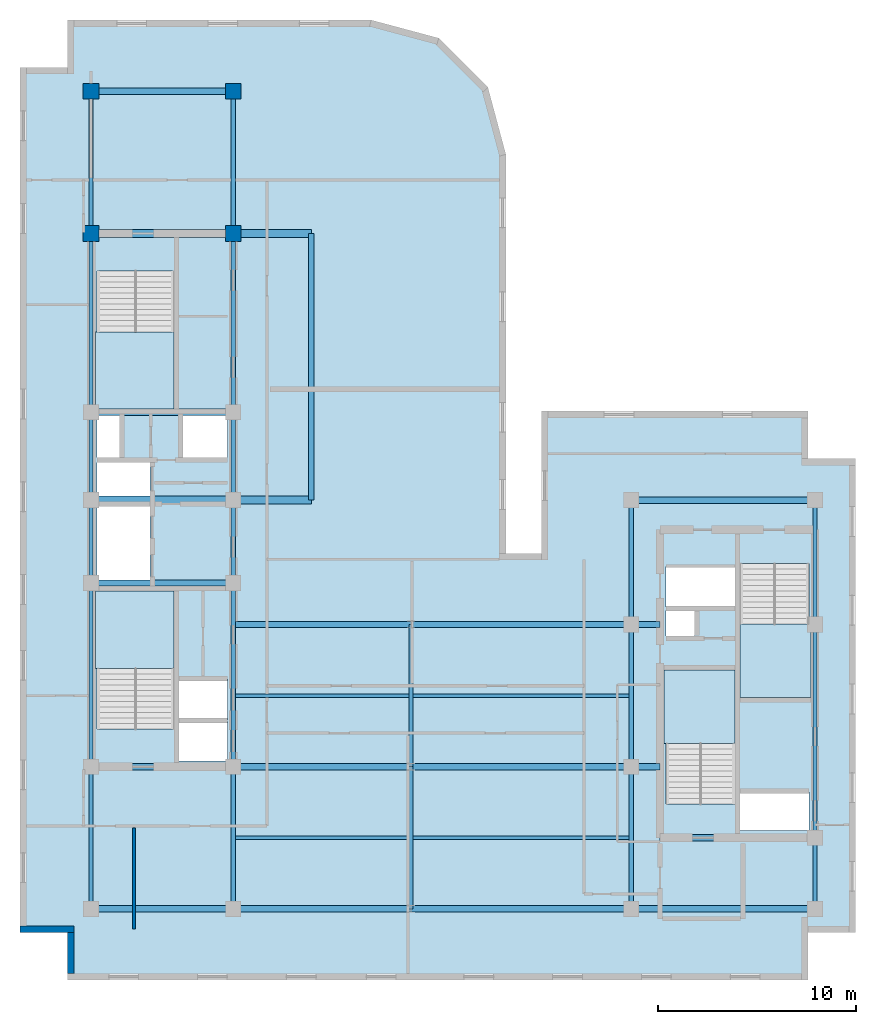
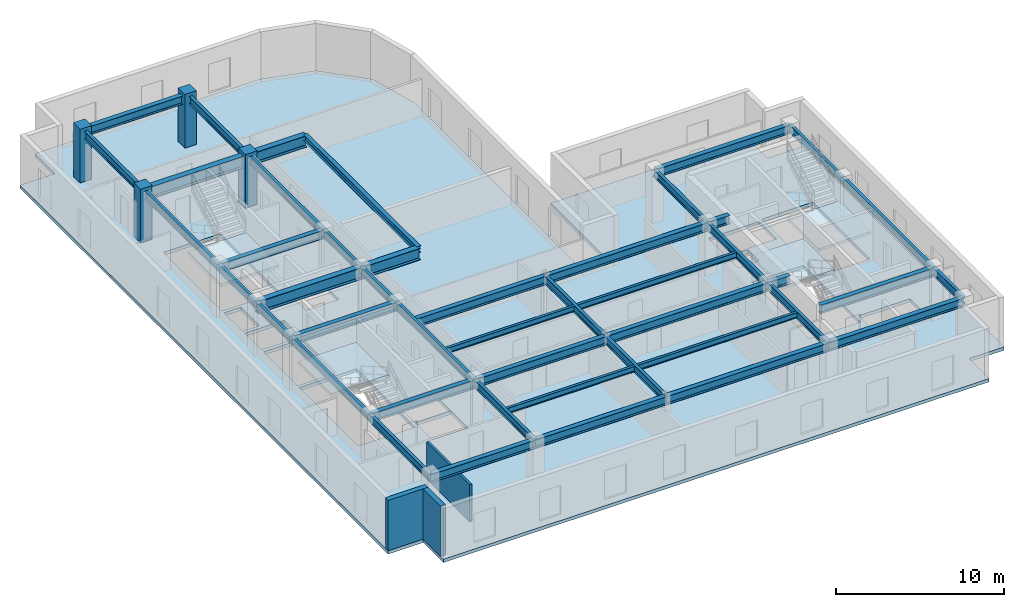
# One storey, part 2 of 9: 43 beams, 5 slabs, 4 columns, 3 walls, 4 elements without a shape of their own.
"""IFC4 building model written with IfcOpenShell, lengths in metres."""

from ifc_helpers import new_model, entity, si_unit, converted_unit, direction, frame, origin_with_axes, origin_2d_with_axis, place, context, subcontext, project, spatial, polyline, rectangle, i_section, outline, extrude, material, layer, layer_set, material_profile, profile_set, type_object, element, aggregate, save


model = new_model("IFC4")

# Units and contexts
model_context = context("Model", 3, precision=1e-05, world=origin_with_axes(), true_north=direction((0.0, 1.0)))
body_context = subcontext(model_context, "Body", "Model", "MODEL_VIEW")
ifc_project = project(units=[si_unit("LENGTHUNIT", "METRE"), si_unit("AREAUNIT", "SQUARE_METRE"), si_unit("VOLUMEUNIT", "CUBIC_METRE"), converted_unit("PLANEANGLEUNIT", "DEGREE", entity("IfcPlaneAngleMeasure", 0.017453292519943295), si_unit("PLANEANGLEUNIT", "RADIAN"), dimensions=[0, 0, 0, 0, 0, 0, 0]), si_unit("MASSUNIT", "GRAM", prefix="KILO"), si_unit("THERMODYNAMICTEMPERATUREUNIT", "KELVIN")], contexts=[model_context])

# Site, building, storey
site_placement = place(None, origin_with_axes())
site = spatial("IfcSite", under=ifc_project, at=site_placement, CompositionType="ELEMENT")
building_placement = place(site_placement, origin_with_axes())
building = spatial("IfcBuilding", under=site, at=building_placement, Name="Varnlund Millrace Tower", CompositionType="ELEMENT")
storey_placement = place(building_placement, frame((0.0, 0.0, 252.9), z_axis=(0.0, 0.0, 1.0), x_axis=(1.0, 0.0, 0.0)))
storey = spatial("IfcBuildingStorey", under=building, at=storey_placement, Name="L62", CompositionType="ELEMENT", Elevation=252.9)

# Columns
ifc_material_1 = material(Name="Concrete C60/75", Category="concrete")
ifc_material_profile_1 = material_profile(ifc_material_1, rectangle(XDim=0.8, YDim=0.8, at=origin_2d_with_axis()), Name="Concrete C60/75")
ifc_profile_set_1 = profile_set([ifc_material_profile_1], Name="Concrete C60/75")
column_type = type_object("IfcColumnType", Name="Type-Col-RC800-C60", PredefinedType="COLUMN", material=ifc_profile_set_1)
for number, where, z_axis, x_axis, name in (
    (1, (11.4, 37.8, 0.0), (0.0, 0.0, 1.0), (1.0, 0.0, 0.0), "Type-Col-RC800-C60"),
    (2, (11.4, 45.0, 0.0), (0.0, 0.0, 1.0), (1.0, 0.0, 0.0), "Type-Col-RC800-C60"),
    (3, (18.6, 37.8, 0.0), (0.0, 0.0, 1.0), (1.0, 0.0, 0.0), "Type-Col-RC800-C60"),
    (4, (18.6, 45.0, 0.0), (0.0, 0.0, 1.0), (1.0, 0.0, 0.0), "Type-Col-RC800-C60"),
):
    element("IfcColumn", number, at=place(storey_placement, frame(where, z_axis=z_axis, x_axis=x_axis)), inside=storey, type_object=column_type, Name=name, PredefinedType="COLUMN", context=body_context, shape_type="SweptSolid", body=[
        extrude(rectangle(XDim=0.8, YDim=0.8, at=origin_2d_with_axis()), origin_with_axes(), (0.0, 0.0, 1.0), 3.9),
    ])

# Beams
ifc_material_2 = material(Name="Steel ASTM A992 Grade 50", Category="steel")
ifc_material_profile_2 = material_profile(ifc_material_2, i_section(OverallWidth=0.28, OverallDepth=0.463, WebThickness=0.0108, FlangeThickness=0.0173, FilletRadius=0.015, at=origin_2d_with_axis()), Name="Steel ASTM A992 Grade 50")
ifc_profile_set_2 = profile_set([ifc_material_profile_2], Name="Steel ASTM A992 Grade 50")
beam_type_1 = type_object("IfcBeamType", Name="Type-Beam-W18X76", PredefinedType="BEAM", material=ifc_profile_set_2)
beam_1_placement = place(storey_placement, frame((22.55, 24.3, 3.4285), z_axis=(0.0, 1.0, 0.0), x_axis=(-1.0, 0.0, 0.0)))
element("IfcBeam", 5, at=beam_1_placement, inside=storey, type_object=beam_type_1, Name="Type-Beam-W18X76", PredefinedType="BEAM", context=body_context, shape_type="SweptSolid", body=[
    extrude(i_section(OverallWidth=0.28, OverallDepth=0.463, WebThickness=0.0108, FlangeThickness=0.0173, FilletRadius=0.015, at=origin_2d_with_axis()), origin_with_axes(), (0.0, 0.0, 1.0), 13.5),
])
ifc_material_profile_3 = material_profile(ifc_material_2, i_section(OverallWidth=0.214, OverallDepth=0.549, WebThickness=0.0147, FlangeThickness=0.0236, FilletRadius=0.015, at=origin_2d_with_axis()), Name="Steel ASTM A992 Grade 50")
ifc_profile_set_3 = profile_set([ifc_material_profile_3], Name="Steel ASTM A992 Grade 50")
beam_type_2 = type_object("IfcBeamType", Name="Type-Beam-W21X93", PredefinedType="BEAM", material=ifc_profile_set_3)
beam_2_placement = place(storey_placement, frame((11.4, 3.6, 3.3855), z_axis=(0.0, 1.0, 0.0), x_axis=(-1.0, 0.0, 0.0)))
element("IfcBeam", 6, at=beam_2_placement, inside=storey, type_object=beam_type_2, Name="Type-Beam-W21X93", PredefinedType="BEAM", context=body_context, shape_type="SweptSolid", body=[
    extrude(i_section(OverallWidth=0.214, OverallDepth=0.549, WebThickness=0.0147, FlangeThickness=0.0236, FilletRadius=0.015, at=origin_2d_with_axis()), origin_with_axes(), (0.0, 0.0, 1.0), 7.2),
])
beam_3_placement = place(storey_placement, frame((11.4, 10.8, 3.3855), z_axis=(0.0, 1.0, 0.0), x_axis=(-1.0, 0.0, 0.0)))
element("IfcBeam", 7, at=beam_3_placement, inside=storey, type_object=beam_type_2, Name="Type-Beam-W21X93", PredefinedType="BEAM", context=body_context, shape_type="SweptSolid", body=[
    extrude(i_section(OverallWidth=0.214, OverallDepth=0.549, WebThickness=0.0147, FlangeThickness=0.0236, FilletRadius=0.015, at=origin_2d_with_axis()), origin_with_axes(), (0.0, 0.0, 1.0), 9.3),
])
beam_4_placement = place(storey_placement, frame((11.4, 20.1, 3.3855), z_axis=(0.0, 1.0, 0.0), x_axis=(-1.0, 0.0, 0.0)))
element("IfcBeam", 8, at=beam_4_placement, inside=storey, type_object=beam_type_2, Name="Type-Beam-W21X93", PredefinedType="BEAM", context=body_context, shape_type="SweptSolid", body=[
    extrude(i_section(OverallWidth=0.214, OverallDepth=0.549, WebThickness=0.0147, FlangeThickness=0.0236, FilletRadius=0.015, at=origin_2d_with_axis()), origin_with_axes(), (0.0, 0.0, 1.0), 4.2),
])
beam_5_placement = place(storey_placement, frame((11.4, 24.3, 3.3855), z_axis=(0.0, 1.0, 0.0), x_axis=(-1.0, 0.0, 0.0)))
element("IfcBeam", 9, at=beam_5_placement, inside=storey, type_object=beam_type_2, Name="Type-Beam-W21X93", PredefinedType="BEAM", context=body_context, shape_type="SweptSolid", body=[
    extrude(i_section(OverallWidth=0.214, OverallDepth=0.549, WebThickness=0.0147, FlangeThickness=0.0236, FilletRadius=0.015, at=origin_2d_with_axis()), origin_with_axes(), (0.0, 0.0, 1.0), 4.45),
])
beam_6_placement = place(storey_placement, frame((11.4, 28.75, 3.3855), z_axis=(0.0, 1.0, 0.0), x_axis=(-1.0, 0.0, 0.0)))
element("IfcBeam", 10, at=beam_6_placement, inside=storey, type_object=beam_type_2, Name="Type-Beam-W21X93", PredefinedType="BEAM", context=body_context, shape_type="SweptSolid", body=[
    extrude(i_section(OverallWidth=0.214, OverallDepth=0.549, WebThickness=0.0147, FlangeThickness=0.0236, FilletRadius=0.015, at=origin_2d_with_axis()), origin_with_axes(), (0.0, 0.0, 1.0), 9.05),
])
for number, where, z_axis, x_axis, name in (
    (11, (11.4, 37.8, 3.3855), (0.0, 1.0, 0.0), (-1.0, 0.0, 0.0), "Type-Beam-W21X93"),
    (12, (18.6, 3.6, 3.3855), (0.0, 1.0, 0.0), (-1.0, 0.0, 0.0), "Type-Beam-W21X93"),
):
    element("IfcBeam", number, at=place(storey_placement, frame(where, z_axis=z_axis, x_axis=x_axis)), inside=storey, type_object=beam_type_2, Name=name, PredefinedType="BEAM", context=body_context, shape_type="SweptSolid", body=[
        extrude(i_section(OverallWidth=0.214, OverallDepth=0.549, WebThickness=0.0147, FlangeThickness=0.0236, FilletRadius=0.015, at=origin_2d_with_axis()), origin_with_axes(), (0.0, 0.0, 1.0), 7.2),
    ])
beam_7_placement = place(storey_placement, frame((18.6, 10.8, 3.3855), z_axis=(0.0, 1.0, 0.0), x_axis=(-1.0, 0.0, 0.0)))
element("IfcBeam", 13, at=beam_7_placement, inside=storey, type_object=beam_type_2, Name="Type-Beam-W21X93", PredefinedType="BEAM", context=body_context, shape_type="SweptSolid", body=[
    extrude(i_section(OverallWidth=0.214, OverallDepth=0.549, WebThickness=0.0147, FlangeThickness=0.0236, FilletRadius=0.015, at=origin_2d_with_axis()), origin_with_axes(), (0.0, 0.0, 1.0), 9.3),
])
beam_8_placement = place(storey_placement, frame((18.6, 20.1, 3.3855), z_axis=(0.0, 1.0, 0.0), x_axis=(-1.0, 0.0, 0.0)))
element("IfcBeam", 14, at=beam_8_placement, inside=storey, type_object=beam_type_2, Name="Type-Beam-W21X93", PredefinedType="BEAM", context=body_context, shape_type="SweptSolid", body=[
    extrude(i_section(OverallWidth=0.214, OverallDepth=0.549, WebThickness=0.0147, FlangeThickness=0.0236, FilletRadius=0.015, at=origin_2d_with_axis()), origin_with_axes(), (0.0, 0.0, 1.0), 4.2),
])
beam_9_placement = place(storey_placement, frame((18.6, 24.3, 3.3855), z_axis=(0.0, 1.0, 0.0), x_axis=(-1.0, 0.0, 0.0)))
element("IfcBeam", 15, at=beam_9_placement, inside=storey, type_object=beam_type_2, Name="Type-Beam-W21X93", PredefinedType="BEAM", context=body_context, shape_type="SweptSolid", body=[
    extrude(i_section(OverallWidth=0.214, OverallDepth=0.549, WebThickness=0.0147, FlangeThickness=0.0236, FilletRadius=0.015, at=origin_2d_with_axis()), origin_with_axes(), (0.0, 0.0, 1.0), 4.45),
])
beam_10_placement = place(storey_placement, frame((18.6, 28.75, 3.3855), z_axis=(0.0, 1.0, 0.0), x_axis=(-1.0, 0.0, 0.0)))
element("IfcBeam", 16, at=beam_10_placement, inside=storey, type_object=beam_type_2, Name="Type-Beam-W21X93", PredefinedType="BEAM", context=body_context, shape_type="SweptSolid", body=[
    extrude(i_section(OverallWidth=0.214, OverallDepth=0.549, WebThickness=0.0147, FlangeThickness=0.0236, FilletRadius=0.015, at=origin_2d_with_axis()), origin_with_axes(), (0.0, 0.0, 1.0), 9.05),
])
for number, where, z_axis, x_axis, name in (
    (17, (18.6, 37.8, 3.3855), (0.0, 1.0, 0.0), (-1.0, 0.0, 0.0), "Type-Beam-W21X93"),
    (18, (27.6, 3.6, 3.3855), (0.0, 1.0, 0.0), (-1.0, 0.0, 0.0), "Type-Beam-W21X93"),
    (19, (27.6, 10.8, 3.3855), (0.0, 1.0, 0.0), (-1.0, 0.0, 0.0), "Type-Beam-W21X93"),
    (20, (38.75, 3.6, 3.3855), (0.0, 1.0, 0.0), (-1.0, 0.0, 0.0), "Type-Beam-W21X93"),
    (21, (38.75, 10.8, 3.3855), (0.0, 1.0, 0.0), (-1.0, 0.0, 0.0), "Type-Beam-W21X93"),
):
    element("IfcBeam", number, at=place(storey_placement, frame(where, z_axis=z_axis, x_axis=x_axis)), inside=storey, type_object=beam_type_2, Name=name, PredefinedType="BEAM", context=body_context, shape_type="SweptSolid", body=[
        extrude(i_section(OverallWidth=0.214, OverallDepth=0.549, WebThickness=0.0147, FlangeThickness=0.0236, FilletRadius=0.015, at=origin_2d_with_axis()), origin_with_axes(), (0.0, 0.0, 1.0), 7.2),
    ])
beam_11_placement = place(storey_placement, frame((38.75, 18.0, 3.3855), z_axis=(0.0, 1.0, 0.0), x_axis=(-1.0, 0.0, 0.0)))
element("IfcBeam", 22, at=beam_11_placement, inside=storey, type_object=beam_type_2, Name="Type-Beam-W21X93", PredefinedType="BEAM", context=body_context, shape_type="SweptSolid", body=[
    extrude(i_section(OverallWidth=0.214, OverallDepth=0.549, WebThickness=0.0147, FlangeThickness=0.0236, FilletRadius=0.015, at=origin_2d_with_axis()), origin_with_axes(), (0.0, 0.0, 1.0), 6.3),
])
beam_12_placement = place(storey_placement, frame((48.05, 3.6, 3.3855), z_axis=(0.0, 1.0, 0.0), x_axis=(-1.0, 0.0, 0.0)))
element("IfcBeam", 23, at=beam_12_placement, inside=storey, type_object=beam_type_2, Name="Type-Beam-W21X93", PredefinedType="BEAM", context=body_context, shape_type="SweptSolid", body=[
    extrude(i_section(OverallWidth=0.214, OverallDepth=0.549, WebThickness=0.0147, FlangeThickness=0.0236, FilletRadius=0.015, at=origin_2d_with_axis()), origin_with_axes(), (0.0, 0.0, 1.0), 3.6),
])
beam_13_placement = place(storey_placement, frame((48.05, 7.2, 3.3855), z_axis=(0.0, 1.0, 0.0), x_axis=(-1.0, 0.0, 0.0)))
element("IfcBeam", 24, at=beam_13_placement, inside=storey, type_object=beam_type_2, Name="Type-Beam-W21X93", PredefinedType="BEAM", context=body_context, shape_type="SweptSolid", body=[
    extrude(i_section(OverallWidth=0.214, OverallDepth=0.549, WebThickness=0.0147, FlangeThickness=0.0236, FilletRadius=0.015, at=origin_2d_with_axis()), origin_with_axes(), (0.0, 0.0, 1.0), 10.8),
])
beam_14_placement = place(storey_placement, frame((48.05, 18.0, 3.3855), z_axis=(0.0, 1.0, 0.0), x_axis=(-1.0, 0.0, 0.0)))
element("IfcBeam", 25, at=beam_14_placement, inside=storey, type_object=beam_type_2, Name="Type-Beam-W21X93", PredefinedType="BEAM", context=body_context, shape_type="SweptSolid", body=[
    extrude(i_section(OverallWidth=0.214, OverallDepth=0.549, WebThickness=0.0147, FlangeThickness=0.0236, FilletRadius=0.015, at=origin_2d_with_axis()), origin_with_axes(), (0.0, 0.0, 1.0), 6.3),
])
ifc_material_profile_4 = material_profile(ifc_material_2, i_section(OverallWidth=0.324, OverallDepth=0.611, WebThickness=0.0127, FlangeThickness=0.0191, FilletRadius=0.016, at=origin_2d_with_axis()), Name="Steel ASTM A992 Grade 50")
ifc_profile_set_4 = profile_set([ifc_material_profile_4], Name="Steel ASTM A992 Grade 50")
beam_type_3 = type_object("IfcBeamType", Name="Type-Girder-W24X104", PredefinedType="USERDEFINED", material=ifc_profile_set_4)
beam_15_placement = place(storey_placement, frame((11.4, 3.6, 3.3545), z_axis=(1.0, 0.0, 0.0), x_axis=(0.0, 1.0, 0.0)))
element("IfcBeam", 26, at=beam_15_placement, inside=storey, type_object=beam_type_3, Name="Type-Girder-W24X104", ObjectType="GIRDER", PredefinedType="USERDEFINED", context=body_context, shape_type="SweptSolid", body=[
    extrude(i_section(OverallWidth=0.324, OverallDepth=0.611, WebThickness=0.0127, FlangeThickness=0.0191, FilletRadius=0.016, at=origin_2d_with_axis()), origin_with_axes(), (0.0, 0.0, 1.0), 7.2),
])
beam_16_placement = place(storey_placement, frame((18.6, 3.6, 3.3545), z_axis=(1.0, 0.0, 0.0), x_axis=(0.0, 1.0, 0.0)))
element("IfcBeam", 27, at=beam_16_placement, inside=storey, type_object=beam_type_3, Name="Type-Girder-W24X104", ObjectType="GIRDER", PredefinedType="USERDEFINED", context=body_context, shape_type="SweptSolid", body=[
    extrude(i_section(OverallWidth=0.324, OverallDepth=0.611, WebThickness=0.0127, FlangeThickness=0.0191, FilletRadius=0.016, at=origin_2d_with_axis()), origin_with_axes(), (0.0, 0.0, 1.0), 9.0),
])
beam_17_placement = place(storey_placement, frame((27.6, 3.6, 3.3545), z_axis=(1.0, 0.0, 0.0), x_axis=(0.0, 1.0, 0.0)))
element("IfcBeam", 28, at=beam_17_placement, inside=storey, type_object=beam_type_3, Name="Type-Girder-W24X104", ObjectType="GIRDER", PredefinedType="USERDEFINED", context=body_context, shape_type="SweptSolid", body=[
    extrude(i_section(OverallWidth=0.324, OverallDepth=0.611, WebThickness=0.0127, FlangeThickness=0.0191, FilletRadius=0.016, at=origin_2d_with_axis()), origin_with_axes(), (0.0, 0.0, 1.0), 11.15),
])
beam_18_placement = place(storey_placement, frame((38.75, 3.6, 3.3545), z_axis=(1.0, 0.0, 0.0), x_axis=(0.0, 1.0, 0.0)))
element("IfcBeam", 29, at=beam_18_placement, inside=storey, type_object=beam_type_3, Name="Type-Girder-W24X104", ObjectType="GIRDER", PredefinedType="USERDEFINED", context=body_context, shape_type="SweptSolid", body=[
    extrude(i_section(OverallWidth=0.324, OverallDepth=0.611, WebThickness=0.0127, FlangeThickness=0.0191, FilletRadius=0.016, at=origin_2d_with_axis()), origin_with_axes(), (0.0, 0.0, 1.0), 9.3),
])
beam_19_placement = place(storey_placement, frame((40.2, 7.2, 3.3545), z_axis=(1.0, 0.0, 0.0), x_axis=(0.0, 1.0, 0.0)))
element("IfcBeam", 30, at=beam_19_placement, inside=storey, type_object=beam_type_3, Name="Type-Girder-W24X104", ObjectType="GIRDER", PredefinedType="USERDEFINED", context=body_context, shape_type="SweptSolid", body=[
    extrude(i_section(OverallWidth=0.324, OverallDepth=0.611, WebThickness=0.0127, FlangeThickness=0.0191, FilletRadius=0.016, at=origin_2d_with_axis()), origin_with_axes(), (0.0, 0.0, 1.0), 7.85),
])
beam_20_placement = place(storey_placement, frame((11.4, 10.8, 3.3545), z_axis=(1.0, 0.0, 0.0), x_axis=(0.0, 1.0, 0.0)))
element("IfcBeam", 31, at=beam_20_placement, inside=storey, type_object=beam_type_3, Name="Type-Girder-W24X104", ObjectType="GIRDER", PredefinedType="USERDEFINED", context=body_context, shape_type="SweptSolid", body=[
    extrude(i_section(OverallWidth=0.324, OverallDepth=0.611, WebThickness=0.0127, FlangeThickness=0.0191, FilletRadius=0.016, at=origin_2d_with_axis()), origin_with_axes(), (0.0, 0.0, 1.0), 7.2),
])
beam_21_placement = place(storey_placement, frame((18.6, 10.8, 3.3545), z_axis=(1.0, 0.0, 0.0), x_axis=(0.0, 1.0, 0.0)))
element("IfcBeam", 32, at=beam_21_placement, inside=storey, type_object=beam_type_3, Name="Type-Girder-W24X104", ObjectType="GIRDER", PredefinedType="USERDEFINED", context=body_context, shape_type="SweptSolid", body=[
    extrude(i_section(OverallWidth=0.324, OverallDepth=0.611, WebThickness=0.0127, FlangeThickness=0.0191, FilletRadius=0.016, at=origin_2d_with_axis()), origin_with_axes(), (0.0, 0.0, 1.0), 9.0),
])
beam_22_placement = place(storey_placement, frame((27.6, 10.8, 3.3545), z_axis=(1.0, 0.0, 0.0), x_axis=(0.0, 1.0, 0.0)))
element("IfcBeam", 33, at=beam_22_placement, inside=storey, type_object=beam_type_3, Name="Type-Girder-W24X104", ObjectType="GIRDER", PredefinedType="USERDEFINED", context=body_context, shape_type="SweptSolid", body=[
    extrude(i_section(OverallWidth=0.324, OverallDepth=0.611, WebThickness=0.0127, FlangeThickness=0.0191, FilletRadius=0.016, at=origin_2d_with_axis()), origin_with_axes(), (0.0, 0.0, 1.0), 11.15),
])
beam_23_placement = place(storey_placement, frame((38.75, 10.8, 3.3545), z_axis=(1.0, 0.0, 0.0), x_axis=(0.0, 1.0, 0.0)))
element("IfcBeam", 34, at=beam_23_placement, inside=storey, type_object=beam_type_3, Name="Type-Girder-W24X104", ObjectType="GIRDER", PredefinedType="USERDEFINED", context=body_context, shape_type="SweptSolid", body=[
    extrude(i_section(OverallWidth=0.324, OverallDepth=0.611, WebThickness=0.0127, FlangeThickness=0.0191, FilletRadius=0.016, at=origin_2d_with_axis()), origin_with_axes(), (0.0, 0.0, 1.0), 1.45),
])
beam_24_placement = place(storey_placement, frame((18.6, 18.0, 3.3545), z_axis=(1.0, 0.0, 0.0), x_axis=(0.0, 1.0, 0.0)))
element("IfcBeam", 35, at=beam_24_placement, inside=storey, type_object=beam_type_3, Name="Type-Girder-W24X104", ObjectType="GIRDER", PredefinedType="USERDEFINED", context=body_context, shape_type="SweptSolid", body=[
    extrude(i_section(OverallWidth=0.324, OverallDepth=0.611, WebThickness=0.0127, FlangeThickness=0.0191, FilletRadius=0.016, at=origin_2d_with_axis()), origin_with_axes(), (0.0, 0.0, 1.0), 9.0),
])
beam_25_placement = place(storey_placement, frame((27.6, 18.0, 3.3545), z_axis=(1.0, 0.0, 0.0), x_axis=(0.0, 1.0, 0.0)))
element("IfcBeam", 36, at=beam_25_placement, inside=storey, type_object=beam_type_3, Name="Type-Girder-W24X104", ObjectType="GIRDER", PredefinedType="USERDEFINED", context=body_context, shape_type="SweptSolid", body=[
    extrude(i_section(OverallWidth=0.324, OverallDepth=0.611, WebThickness=0.0127, FlangeThickness=0.0191, FilletRadius=0.016, at=origin_2d_with_axis()), origin_with_axes(), (0.0, 0.0, 1.0), 11.15),
])
beam_26_placement = place(storey_placement, frame((38.75, 18.0, 3.3545), z_axis=(1.0, 0.0, 0.0), x_axis=(0.0, 1.0, 0.0)))
element("IfcBeam", 37, at=beam_26_placement, inside=storey, type_object=beam_type_3, Name="Type-Girder-W24X104", ObjectType="GIRDER", PredefinedType="USERDEFINED", context=body_context, shape_type="SweptSolid", body=[
    extrude(i_section(OverallWidth=0.324, OverallDepth=0.611, WebThickness=0.0127, FlangeThickness=0.0191, FilletRadius=0.016, at=origin_2d_with_axis()), origin_with_axes(), (0.0, 0.0, 1.0), 1.45),
])
beam_27_placement = place(storey_placement, frame((11.4, 20.1, 3.3545), z_axis=(1.0, 0.0, 0.0), x_axis=(0.0, 1.0, 0.0)))
element("IfcBeam", 38, at=beam_27_placement, inside=storey, type_object=beam_type_3, Name="Type-Girder-W24X104", ObjectType="GIRDER", PredefinedType="USERDEFINED", context=body_context, shape_type="SweptSolid", body=[
    extrude(i_section(OverallWidth=0.324, OverallDepth=0.611, WebThickness=0.0127, FlangeThickness=0.0191, FilletRadius=0.016, at=origin_2d_with_axis()), origin_with_axes(), (0.0, 0.0, 1.0), 7.2),
])
beam_28_placement = place(storey_placement, frame((38.75, 24.3, 3.3545), z_axis=(1.0, 0.0, 0.0), x_axis=(0.0, 1.0, 0.0)))
element("IfcBeam", 39, at=beam_28_placement, inside=storey, type_object=beam_type_3, Name="Type-Girder-W24X104", ObjectType="GIRDER", PredefinedType="USERDEFINED", context=body_context, shape_type="SweptSolid", body=[
    extrude(i_section(OverallWidth=0.324, OverallDepth=0.611, WebThickness=0.0127, FlangeThickness=0.0191, FilletRadius=0.016, at=origin_2d_with_axis()), origin_with_axes(), (0.0, 0.0, 1.0), 9.3),
])
for number, where, z_axis, x_axis, name in (
    (40, (11.4, 28.75, 3.3545), (1.0, 0.0, 0.0), (0.0, 1.0, 0.0), "Type-Girder-W24X104"),
    (41, (11.4, 45.0, 3.3545), (1.0, 0.0, 0.0), (0.0, 1.0, 0.0), "Type-Girder-W24X104"),
):
    element("IfcBeam", number, at=place(storey_placement, frame(where, z_axis=z_axis, x_axis=x_axis)), inside=storey, type_object=beam_type_3, Name=name, ObjectType="GIRDER", PredefinedType="USERDEFINED", context=body_context, shape_type="SweptSolid", body=[
        extrude(i_section(OverallWidth=0.324, OverallDepth=0.611, WebThickness=0.0127, FlangeThickness=0.0191, FilletRadius=0.016, at=origin_2d_with_axis()), origin_with_axes(), (0.0, 0.0, 1.0), 7.2),
    ])
ifc_material_profile_5 = material_profile(ifc_material_2, i_section(OverallWidth=0.399, OverallDepth=0.855, WebThickness=0.0182, FlangeThickness=0.0292, FilletRadius=0.022, at=origin_2d_with_axis()), Name="Steel ASTM A992 Grade 50")
ifc_profile_set_5 = profile_set([ifc_material_profile_5], Name="Steel ASTM A992 Grade 50")
beam_type_4 = type_object("IfcBeamType", Name="Type-Girder-W33X201", PredefinedType="USERDEFINED", material=ifc_profile_set_5)
for number, where, z_axis, x_axis, name in (
    (42, (11.4, 24.3, 3.2325), (1.0, 0.0, 0.0), (0.0, 1.0, 0.0), "Type-Girder-W33X201"),
    (43, (11.4, 37.8, 3.2325), (1.0, 0.0, 0.0), (0.0, 1.0, 0.0), "Type-Girder-W33X201"),
):
    element("IfcBeam", number, at=place(storey_placement, frame(where, z_axis=z_axis, x_axis=x_axis)), inside=storey, type_object=beam_type_4, Name=name, ObjectType="GIRDER", PredefinedType="USERDEFINED", context=body_context, shape_type="SweptSolid", body=[
        extrude(i_section(OverallWidth=0.399, OverallDepth=0.855, WebThickness=0.0182, FlangeThickness=0.0292, FilletRadius=0.022, at=origin_2d_with_axis()), origin_with_axes(), (0.0, 0.0, 1.0), 11.15),
    ])
ifc_material_profile_6 = material_profile(ifc_material_2, i_section(OverallWidth=0.178, OverallDepth=0.403, WebThickness=0.0075, FlangeThickness=0.0109, FilletRadius=0.011, at=origin_2d_with_axis()), Name="Steel ASTM A992 Grade 50")
ifc_profile_set_6 = profile_set([ifc_material_profile_6], Name="Steel ASTM A992 Grade 50")
beam_type_5 = type_object("IfcBeamType", Name="Type-Joist-W16X36", PredefinedType="JOIST", material=ifc_profile_set_6)
for number, where, z_axis, x_axis, name in (
    (44, (18.707, 7.2, 3.4585), (1.0, 0.0, 0.0), (0.0, 1.0, 0.0), "Type-Joist-W16X36"),
    (45, (18.707, 14.4, 3.4585), (1.0, 0.0, 0.0), (0.0, 1.0, 0.0), "Type-Joist-W16X36"),
):
    element("IfcBeam", number, at=place(storey_placement, frame(where, z_axis=z_axis, x_axis=x_axis)), inside=storey, type_object=beam_type_5, Name=name, PredefinedType="JOIST", context=body_context, shape_type="SweptSolid", body=[
        extrude(i_section(OverallWidth=0.178, OverallDepth=0.403, WebThickness=0.0075, FlangeThickness=0.0109, FilletRadius=0.011, at=origin_2d_with_axis()), origin_with_axes(), (0.0, 0.0, 1.0), 8.786),
    ])
for number, where, z_axis, x_axis, name in (
    (46, (27.707, 7.2, 3.4585), (1.0, 0.0, 0.0), (0.0, 1.0, 0.0), "Type-Joist-W16X36"),
    (47, (27.707, 14.4, 3.4585), (1.0, 0.0, 0.0), (0.0, 1.0, 0.0), "Type-Joist-W16X36"),
):
    element("IfcBeam", number, at=place(storey_placement, frame(where, z_axis=z_axis, x_axis=x_axis)), inside=storey, type_object=beam_type_5, Name=name, PredefinedType="JOIST", context=body_context, shape_type="SweptSolid", body=[
        extrude(i_section(OverallWidth=0.178, OverallDepth=0.403, WebThickness=0.0075, FlangeThickness=0.0109, FilletRadius=0.011, at=origin_2d_with_axis()), origin_with_axes(), (0.0, 0.0, 1.0), 10.936),
    ])

# Slab
ifc_layer_1 = layer(ifc_material_1, 0.24, Name="Concrete C60/75")
ifc_layer_set_1 = layer_set([ifc_layer_1], Name="Concrete C60/75")
slab_type_1 = type_object("IfcSlabType", Name="Type-Deck-Plate-Typical-240", PredefinedType="FLOOR", material=ifc_layer_set_1)
slab_1_placement = place(storey_placement, frame((0.0, 0.0, -0.24), z_axis=(0.0, 0.0, 1.0), x_axis=(1.0, 0.0, 0.0)))
element("IfcSlab", 48, at=slab_1_placement, inside=storey, type_object=slab_type_1, Name="Type-Deck-Plate-Typical-240", PredefinedType="FLOOR", context=body_context, shape_type="SweptSolid", body=[
    extrude(outline(polyline([(32.4, 21.6), (32.4, 41.8), (31.489, 45.2), (29.0, 47.689), (25.6, 48.6), (10.2, 48.6), (10.2, 46.2), (7.8, 46.2), (7.8, 2.4), (10.2, 2.4), (10.2, 0.0), (47.7, 0.0), (47.7, 2.4), (50.1, 2.4), (50.1, 26.4), (47.7, 26.4), (47.7, 28.8), (34.2, 28.8), (34.2, 21.6), (32.4, 21.6)]), holes=[polyline([(18.3, 13.1), (18.3, 11.1), (15.84, 11.1), (15.84, 13.1), (18.3, 13.1)]), polyline([(15.6, 12.715), (11.7, 12.715), (11.7, 19.7), (15.6, 19.7), (15.6, 12.715)]), polyline([(11.7, 19.94), (11.7, 23.98), (14.38, 23.98), (14.38, 19.94), (11.7, 19.94)]), polyline([(14.38, 24.24), (11.7, 24.24), (11.7, 26.2), (14.38, 26.2), (14.38, 24.24)]), polyline([(12.84, 26.46), (11.7, 26.46), (11.7, 28.65), (12.84, 28.65), (12.84, 26.46)]), polyline([(15.6, 28.9), (11.7, 28.9), (11.7, 35.885), (15.6, 35.885), (15.6, 28.9)]), polyline([(47.75, 9.52), (47.75, 7.58), (44.25, 7.58), (44.25, 9.52), (47.75, 9.52)]), polyline([(44.0, 8.915), (40.5, 8.915), (40.5, 15.7), (44.0, 15.7), (44.0, 8.915)]), polyline([(18.3, 13.16), (15.84, 13.16), (15.84, 15.24), (18.3, 15.24), (18.3, 13.16)]), polyline([(47.75, 14.3), (44.25, 14.3), (44.25, 21.085), (47.75, 21.085), (47.75, 14.3)]), polyline([(41.95, 17.42), (40.5, 17.42), (40.5, 18.72), (41.95, 18.72), (41.95, 17.42)]), polyline([(44.0, 18.88), (40.5, 18.88), (40.5, 20.94), (44.0, 20.94), (44.0, 18.88)]), polyline([(18.3, 26.46), (16.04, 26.46), (16.04, 28.65), (18.3, 28.65), (18.3, 26.46)])]), origin_with_axes(), (0.0, 0.0, 1.0), 0.24),
])

# Stair, slab
ifc_material_3 = material(Name="Concrete C50/60", Category="concrete")
stair_type_1 = type_object("IfcStairType", Name="Type-Stair-Dogleg-185-390", PredefinedType="HALF_TURN_STAIR", material=ifc_material_3)
stair_1_placement = place(storey_placement, origin_with_axes())
stair_1 = element("IfcStair", 49, at=stair_1_placement, inside=storey, type_object=stair_type_1, Name="Type-Stair-Dogleg-185-390", PredefinedType="HALF_TURN_STAIR")
ifc_layer_2 = layer(ifc_material_3, 0.2, Name="Concrete C50/60")
ifc_layer_set_2 = layer_set([ifc_layer_2], Name="Concrete C50/60")
slab_type_2 = type_object("IfcSlabType", Name="Type-StairLanding-200", PredefinedType="LANDING", material=ifc_layer_set_2)
slab_2_placement = place(storey_placement, frame((0.0, 0.0, 1.75), z_axis=(0.0, 0.0, 1.0), x_axis=(1.0, 0.0, 0.0)))
slab_2 = element("IfcSlab", 50, at=slab_2_placement, type_object=slab_type_2, Name="ST-A1 landing 1", PredefinedType="LANDING", context=body_context, shape_type="SweptSolid", body=[
    extrude(outline(polyline([(15.6, 15.78), (15.6, 19.7), (11.61, 19.7), (11.61, 15.78), (15.6, 15.78)])), origin_with_axes(), (0.0, 0.0, 1.0), 0.2),
])
aggregate(stair_1, [slab_2])

stair_2_placement = place(storey_placement, origin_with_axes())
stair_2 = element("IfcStair", 51, at=stair_2_placement, inside=storey, type_object=stair_type_1, Name="Type-Stair-Dogleg-185-390", PredefinedType="HALF_TURN_STAIR")
slab_3_placement = place(storey_placement, frame((0.0, 0.0, 1.75), z_axis=(0.0, 0.0, 1.0), x_axis=(1.0, 0.0, 0.0)))
slab_3 = element("IfcSlab", 52, at=slab_3_placement, type_object=slab_type_2, Name="ST-A2 landing 1", PredefinedType="LANDING", context=body_context, shape_type="SweptSolid", body=[
    extrude(outline(polyline([(11.61, 32.82), (11.61, 28.9), (15.6, 28.9), (15.6, 32.82), (11.61, 32.82)])), origin_with_axes(), (0.0, 0.0, 1.0), 0.2),
])
aggregate(stair_2, [slab_3])

stair_type_2 = type_object("IfcStairType", Name="Type-Stair-Dogleg-165-390", PredefinedType="HALF_TURN_STAIR", material=ifc_material_3)
stair_3_placement = place(storey_placement, origin_with_axes())
stair_3 = element("IfcStair", 53, at=stair_3_placement, inside=storey, type_object=stair_type_2, Name="Type-Stair-Dogleg-165-390", PredefinedType="HALF_TURN_STAIR")
slab_4_placement = place(storey_placement, frame((0.0, 0.0, 1.75), z_axis=(0.0, 0.0, 1.0), x_axis=(1.0, 0.0, 0.0)))
slab_4 = element("IfcSlab", 54, at=slab_4_placement, type_object=slab_type_2, Name="ST-B1 landing 1", PredefinedType="LANDING", context=body_context, shape_type="SweptSolid", body=[
    extrude(outline(polyline([(44.0, 11.98), (44.0, 15.7), (40.41, 15.7), (40.41, 11.98), (44.0, 11.98)])), origin_with_axes(), (0.0, 0.0, 1.0), 0.2),
])
aggregate(stair_3, [slab_4])

stair_4_placement = place(storey_placement, origin_with_axes())
stair_4 = element("IfcStair", 55, at=stair_4_placement, inside=storey, type_object=stair_type_2, Name="Type-Stair-Dogleg-165-390", PredefinedType="HALF_TURN_STAIR")
slab_5_placement = place(storey_placement, frame((0.0, 0.0, 1.75), z_axis=(0.0, 0.0, 1.0), x_axis=(1.0, 0.0, 0.0)))
slab_5 = element("IfcSlab", 56, at=slab_5_placement, type_object=slab_type_2, Name="ST-B2 landing 1", PredefinedType="LANDING", context=body_context, shape_type="SweptSolid", body=[
    extrude(outline(polyline([(44.25, 18.02), (44.25, 14.3), (47.84, 14.3), (47.84, 18.02), (44.25, 18.02)])), origin_with_axes(), (0.0, 0.0, 1.0), 0.2),
])
aggregate(stair_4, [slab_5])

# Walls
ifc_material_4 = material(Name="Precast concrete C50/60", Category="concrete")
ifc_layer_3 = layer(ifc_material_4, 0.34, Name="Precast concrete C50/60")
ifc_layer_set_3 = layer_set([ifc_layer_3], Name="Precast concrete C50/60")
wall_type_1 = type_object("IfcWallType", Name="Type-ExtWall-Precast-Upper-340", PredefinedType="SOLIDWALL", material=ifc_layer_set_3)
wall_1_placement = place(storey_placement, frame((10.37, 0.34, 0.0), z_axis=(0.0, 0.0, 1.0), x_axis=(0.0, 1.0, 0.0)))
element("IfcWall", 57, at=wall_1_placement, inside=storey, type_object=wall_type_1, Name="Type-ExtWall-Precast-Upper-340", PredefinedType="SOLIDWALL", context=body_context, shape_type="SweptSolid", body=[
    extrude(outline(polyline([(0.0, -0.17), (2.06, -0.17), (2.06, 0.17), (0.0, 0.17), (0.0, -0.17)])), origin_with_axes(), (0.0, 0.0, 1.0), 3.66),
])
wall_2_placement = place(storey_placement, frame((10.54, 2.57, 0.0), z_axis=(0.0, 0.0, 1.0), x_axis=(-1.0, 0.0, 0.0)))
element("IfcWall", 58, at=wall_2_placement, inside=storey, type_object=wall_type_1, Name="Type-ExtWall-Precast-Upper-340", PredefinedType="SOLIDWALL", context=body_context, shape_type="SweptSolid", body=[
    extrude(outline(polyline([(0.0, -0.17), (2.74, -0.17), (2.74, 0.17), (0.0, 0.17), (0.0, -0.17)])), origin_with_axes(), (0.0, 0.0, 1.0), 3.66),
])
ifc_material_5 = material(Name="Acoustic STC-50 gypsum board partition", Category="gypsum")
ifc_layer_4 = layer(ifc_material_5, 0.15, Name="Acoustic STC-50 gypsum board partition")
ifc_layer_set_4 = layer_set([ifc_layer_4], Name="Acoustic STC-50 gypsum board partition")
wall_type_2 = type_object("IfcWallType", Name="Type-Partition-Demising-150", PredefinedType="PARTITIONING", material=ifc_layer_set_4)
wall_3_placement = place(storey_placement, frame((13.577, 2.58, 0.0), z_axis=(0.0, 0.0, 1.0), x_axis=(0.0, 1.0, 0.0)))
element("IfcWall", 59, at=wall_3_placement, inside=storey, type_object=wall_type_2, Name="Type-Partition-Demising-150", PredefinedType="PARTITIONING", context=body_context, shape_type="SweptSolid", body=[
    extrude(outline(polyline([(0.0, -0.075), (5.12, -0.075), (5.12, 0.075), (0.0, 0.075), (0.0, -0.075)])), origin_with_axes(), (0.0, 0.0, 1.0), 2.7),
])

save(model, "model.ifc")
